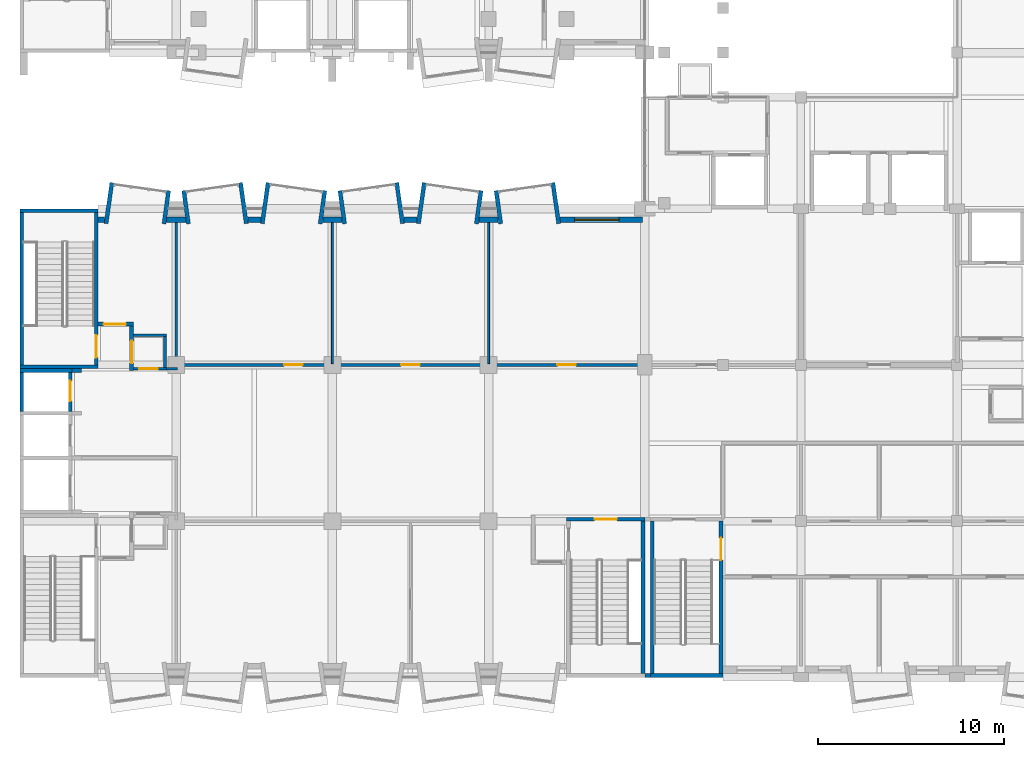
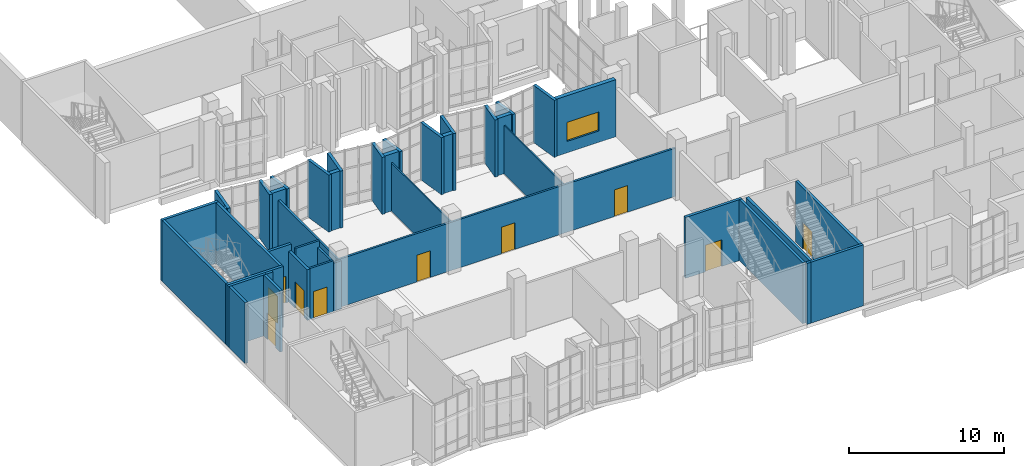
# One storey, part 30 of 91: 43 walls, 10 doors, 1 window, 11 openings.
"""IFC4 building model written with IfcOpenShell, lengths in metres."""

from ifc_helpers import new_model, si_unit, direction, frame, frame_2d, origin, place, context, subcontext, project, spatial, rectangle, extrude, material, layer, layer_set, type_object, element, fill, save


model = new_model("IFC4")

# Units and contexts
model_context = context("Model", 3, precision=1e-05, world=origin(), true_north=direction((0.0, 1.0)))
body_context = subcontext(model_context, "Body", "Model", "MODEL_VIEW")
ifc_project = project(units=[si_unit("LENGTHUNIT", "METRE"), si_unit("AREAUNIT", "SQUARE_METRE"), si_unit("VOLUMEUNIT", "CUBIC_METRE"), si_unit("PLANEANGLEUNIT", "RADIAN"), si_unit("MASSUNIT", "GRAM", prefix="KILO")], contexts=[model_context])

# Site, building, storey
site_placement = place(None, origin())
site = spatial("IfcSite", under=ifc_project, at=site_placement, CompositionType="ELEMENT")
building_placement = place(site_placement, origin())
building = spatial("IfcBuilding", under=site, at=building_placement, Name="Kiln Court Media Centre", CompositionType="ELEMENT")
storey_placement = place(building_placement, frame((0.0, 0.0, 5.39990234375)))
storey = spatial("IfcBuildingStorey", under=building, at=storey_placement, Name="L01", CompositionType="ELEMENT", Elevation=5.39990234375)

# Walls
ifc_material_1 = material(Name="Concrete block masonry M10", Category="masonry")
ifc_layer_1 = layer(ifc_material_1, 0.14990234375)
ifc_layer_set_1 = layer_set([ifc_layer_1], Name="Block riser wall 150 EI 120")
wall_type_1 = type_object("IfcWallType", Name="Block riser wall 150 EI 120", PredefinedType="SOLIDWALL", material=ifc_layer_set_1)
wall_1_placement = place(storey_placement, frame((7.875, 16.60009765625, 0.0), z_axis=(0.0, 0.0, 1.0), x_axis=(1.0, 0.0, 0.0)))
element("IfcWall", 1, at=wall_1_placement, inside=storey, type_object=wall_type_1, Name="L01 block riser wall", PredefinedType="SOLIDWALL", context=body_context, shape_type="SweptSolid", body=[
    extrude(rectangle(XDim=0.60009765625, YDim=0.14990234375, at=frame_2d((0.300048828125, 0.0))), origin(), (0.0, 0.0, 1.0), 3.800048828125),
])
wall_2_placement = place(storey_placement, frame((6.10009765625, 18.39990234375, 0.0), z_axis=(0.0, 0.0, 1.0), x_axis=(1.0, 0.0, 0.0)))
element("IfcWall", 2, at=wall_2_placement, inside=storey, type_object=wall_type_1, Name="L01 block riser wall", PredefinedType="SOLIDWALL", context=body_context, shape_type="SweptSolid", body=[
    extrude(rectangle(XDim=1.77490234375, YDim=0.14990234375, at=frame_2d((0.887451171875, 0.0))), origin(), (0.0, 0.0, 1.0), 4.5),
])
wall_3_placement = place(storey_placement, frame((7.800048828125, 16.675048828125, 0.0), z_axis=(0.0, 0.0, 1.0), x_axis=(0.0, 1.0, 0.0)))
element("IfcWall", 3, at=wall_3_placement, inside=storey, type_object=wall_type_1, Name="L01 block riser wall", PredefinedType="SOLIDWALL", context=body_context, shape_type="SweptSolid", body=[
    extrude(rectangle(XDim=1.64990234375, YDim=0.14990234375, at=frame_2d((0.824951171875, 0.0))), origin(), (0.0, 0.0, 1.0), 4.0),
])
wall_4_placement = place(storey_placement, frame((8.39990234375, 16.875, 0.0), z_axis=(0.0, 0.0, 1.0), x_axis=(0.0, 1.0, 0.0)))
element("IfcWall", 4, at=wall_4_placement, inside=storey, type_object=wall_type_1, Name="L01 block riser wall", PredefinedType="SOLIDWALL", context=body_context, shape_type="SweptSolid", body=[
    extrude(rectangle(XDim=7.574951171875, YDim=0.14990234375, at=frame_2d((3.78759765625, 0.0))), origin(), (0.0, 0.0, 1.0), 3.800048828125),
])

# Wall, opening, door
ifc_material_2 = material(Name="Concrete block masonry M10", Category="masonry")
ifc_layer_2 = layer(ifc_material_2, 0.199951171875)
ifc_layer_set_2 = layer_set([ifc_layer_2], Name="Block vestibule wall 200 EI 240")
wall_type_2 = type_object("IfcWallType", Name="Block vestibule wall 200 EI 240", PredefinedType="SOLIDWALL", material=ifc_layer_set_2)
wall_5_placement = place(storey_placement, frame((4.2001953125, 19.0, 0.0), z_axis=(0.0, 0.0, 1.0), x_axis=(1.0, 0.0, 0.0)))
wall_5 = element("IfcWall", 5, at=wall_5_placement, inside=storey, type_object=wall_type_2, Name="L01 block vestibule wall", PredefinedType="SOLIDWALL", context=body_context, shape_type="SweptSolid", body=[
    extrude(rectangle(XDim=1.89990234375, YDim=0.199951171875, at=frame_2d((0.949951171875, 0.0))), origin(), (0.0, 0.0, 1.0), 4.5),
])
opening_1_placement = place(wall_5_placement, frame((0.2998046875, 0.0, 0.0)))
opening_1 = element("IfcOpeningElement", 6, at=opening_1_placement, cuts=wall_5, Name="Opening D1042", PredefinedType="OPENING", context=body_context, shape_type="SweptSolid", body=[
    extrude(rectangle(XDim=1.199951171875, YDim=2.10009765625, at=frame_2d((0.60009765625, 1.050048828125))), frame((0.0, 0.10986328125, 0.0), z_axis=(0.0, -1.0, 0.0), x_axis=(1.0, 0.0, 0.0)), (0.0, 0.0, 1.0), 0.219970703125),
])
ifc_material_3 = material(Name="Steel S275", Category="steel")
door_type_1 = type_object("IfcDoorType", Name="Steel vestibule door 1200 x 2100 FD180", OperationType="SINGLE_SWING_LEFT", PredefinedType="DOOR", material=ifc_material_3)
door_1_placement = place(opening_1_placement, origin())
door_1 = element("IfcDoor", 7, at=door_1_placement, inside=storey, type_object=door_type_1, Name="Cleaners' Store and Riser / Stair 2 Vestibule", OperationType="SINGLE_SWING_LEFT", OverallHeight=2.10009765625, OverallWidth=1.199951171875, PredefinedType="DOOR", context=body_context, shape_type="SweptSolid", body=[
    extrude(rectangle(XDim=1.199951171875, YDim=2.10009765625, at=frame_2d((0.60009765625, 1.050048828125))), frame((0.0, 0.02490234375, 0.0), z_axis=(0.0, -1.0, 0.0), x_axis=(1.0, 0.0, 0.0)), (0.0, 0.0, 1.0), 0.050048828125),
])
fill(opening_1, door_1)

wall_6_placement = place(storey_placement, frame((6.0, 16.5, 0.0), z_axis=(0.0, 0.0, 1.0), x_axis=(0.0, 1.0, 0.0)))
wall_6 = element("IfcWall", 8, at=wall_6_placement, inside=storey, type_object=wall_type_2, Name="L01 block vestibule wall", PredefinedType="SOLIDWALL", context=body_context, shape_type="SweptSolid", body=[
    extrude(rectangle(XDim=2.39990234375, YDim=0.199951171875, at=frame_2d((1.199951171875, 0.0))), origin(), (0.0, 0.0, 1.0), 4.0),
])
opening_2_placement = place(wall_6_placement, frame((0.39990234375, 0.0, 0.0)))
opening_2 = element("IfcOpeningElement", 9, at=opening_2_placement, cuts=wall_6, Name="Opening D1043", PredefinedType="OPENING", context=body_context, shape_type="SweptSolid", body=[
    extrude(rectangle(XDim=1.199951171875, YDim=2.10009765625, at=frame_2d((0.60009765625, 1.050048828125))), frame((0.0, 0.10986328125, 0.0), z_axis=(0.0, -1.0, 0.0), x_axis=(1.0, 0.0, 0.0)), (0.0, 0.0, 1.0), 0.219970703125),
])
door_2_placement = place(opening_2_placement, origin())
door_2 = element("IfcDoor", 10, at=door_2_placement, inside=storey, type_object=door_type_1, Name="Stair 2 Vestibule / Wheelchair Refuge", OperationType="SINGLE_SWING_RIGHT", OverallHeight=2.10009765625, OverallWidth=1.199951171875, PredefinedType="DOOR", context=body_context, shape_type="SweptSolid", body=[
    extrude(rectangle(XDim=1.199951171875, YDim=2.10009765625, at=frame_2d((0.60009765625, 1.050048828125))), frame((0.0, 0.02490234375, 0.0), z_axis=(0.0, -1.0, 0.0), x_axis=(1.0, 0.0, 0.0)), (0.0, 0.0, 1.0), 0.050048828125),
])
fill(opening_2, door_2)

# Walls
ifc_material_4 = material(Name="Brick masonry facing leaf with RC backing", Category="masonry")
ifc_layer_3 = layer(ifc_material_4, 0.215087890625)
ifc_layer_set_3 = layer_set([ifc_layer_3], Name="Brick masonry bay cheek wall 215")
wall_type_3 = type_object("IfcWallType", Name="Brick masonry bay cheek wall 215", PredefinedType="SOLIDWALL", material=ifc_layer_set_3)
wall_7_placement = place(storey_placement, frame((4.630615234375, 24.405029296875, 0.0), z_axis=(0.0, 0.0, 1.0), x_axis=(0.139141913905, 0.990272451295, 0.0)))
element("IfcWall", 11, at=wall_7_placement, inside=storey, type_object=wall_type_3, Name="BAY V6A-N-L01-02 cheek L", PredefinedType="SOLIDWALL", context=body_context, shape_type="SweptSolid", body=[
    extrude(rectangle(XDim=2.219482421875, YDim=0.215087890625, at=frame_2d((1.10986328125, 0.0))), origin(), (0.0, 0.0, 1.0), 4.5),
])
for number, where, z_axis, x_axis, name in (
    (12, (7.743896484375, 24.39111328125, 0.0), (0.0, 0.0, 1.0), (0.139161311926, 0.990269725511, 0.0), "BAY V6A-N-L01-02 cheek R"),
    (13, (9.055908203125, 24.39111328125, 0.0), (0.0, 0.0, 1.0), (-0.139161311926, 0.990269725511, 0.0), "BAY V6A-N-L01-03 cheek L"),
):
    element("IfcWall", number, at=place(storey_placement, frame(where, z_axis=z_axis, x_axis=x_axis)), inside=storey, type_object=wall_type_3, Name=name, PredefinedType="SOLIDWALL", context=body_context, shape_type="SweptSolid", body=[
        extrude(rectangle(XDim=1.800048828125, YDim=0.215087890625, at=frame_2d((0.89990234375, 0.0))), origin(), (0.0, 0.0, 1.0), 4.5),
    ])
wall_8_placement = place(storey_placement, frame((12.16943359375, 24.405029296875, 0.0), z_axis=(0.0, 0.0, 1.0), x_axis=(-0.139141913905, 0.990272451295, 0.0)))
element("IfcWall", 14, at=wall_8_placement, inside=storey, type_object=wall_type_3, Name="BAY V6A-N-L01-03 cheek R", PredefinedType="SOLIDWALL", context=body_context, shape_type="SweptSolid", body=[
    extrude(rectangle(XDim=2.219482421875, YDim=0.215087890625, at=frame_2d((1.10986328125, 0.0))), origin(), (0.0, 0.0, 1.0), 4.5),
])
wall_9_placement = place(storey_placement, frame((13.030517578125, 24.405029296875, 0.0), z_axis=(0.0, 0.0, 1.0), x_axis=(0.139249775508, 0.99025728981, 0.0)))
element("IfcWall", 15, at=wall_9_placement, inside=storey, type_object=wall_type_3, Name="BAY V6A-N-L01-04 cheek L", PredefinedType="SOLIDWALL", context=body_context, shape_type="SweptSolid", body=[
    extrude(rectangle(XDim=2.2197265625, YDim=0.215087890625, at=frame_2d((1.10986328125, 0.0))), origin(), (0.0, 0.0, 1.0), 4.5),
])
for number, where, z_axis, x_axis, name in (
    (16, (16.14404296875, 24.39111328125, 0.0), (0.0, 0.0, 1.0), (0.139161311926, 0.990269725511, 0.0), "BAY V6A-N-L01-04 cheek R"),
    (17, (17.4560546875, 24.39111328125, 0.0), (0.0, 0.0, 1.0), (-0.139161311926, 0.990269725511, 0.0), "BAY V6A-N-L01-05 cheek L"),
):
    element("IfcWall", number, at=place(storey_placement, frame(where, z_axis=z_axis, x_axis=x_axis)), inside=storey, type_object=wall_type_3, Name=name, PredefinedType="SOLIDWALL", context=body_context, shape_type="SweptSolid", body=[
        extrude(rectangle(XDim=1.800048828125, YDim=0.215087890625, at=frame_2d((0.89990234375, 0.0))), origin(), (0.0, 0.0, 1.0), 4.5),
    ])
for number, where, z_axis, x_axis, name in (
    (18, (20.5693359375, 24.405029296875, 0.0), (0.0, 0.0, 1.0), (-0.139141913905, 0.990272451295, 0.0), "BAY V6A-N-L01-05 cheek R"),
    (19, (21.4306640625, 24.405029296875, 0.0), (0.0, 0.0, 1.0), (0.139141913905, 0.990272451295, 0.0), "BAY V6A-N-L01-06 cheek L"),
):
    element("IfcWall", number, at=place(storey_placement, frame(where, z_axis=z_axis, x_axis=x_axis)), inside=storey, type_object=wall_type_3, Name=name, PredefinedType="SOLIDWALL", context=body_context, shape_type="SweptSolid", body=[
        extrude(rectangle(XDim=2.219482421875, YDim=0.215087890625, at=frame_2d((1.10986328125, 0.0))), origin(), (0.0, 0.0, 1.0), 4.5),
    ])
for number, where, z_axis, x_axis, name in (
    (20, (24.5439453125, 24.39111328125, 0.0), (0.0, 0.0, 1.0), (0.139161311926, 0.990269725511, 0.0), "BAY V6A-N-L01-06 cheek R"),
    (21, (25.85595703125, 24.39111328125, 0.0), (0.0, 0.0, 1.0), (-0.139161311926, 0.990269725511, 0.0), "BAY V6A-N-L01-07 cheek L"),
):
    element("IfcWall", number, at=place(storey_placement, frame(where, z_axis=z_axis, x_axis=x_axis)), inside=storey, type_object=wall_type_3, Name=name, PredefinedType="SOLIDWALL", context=body_context, shape_type="SweptSolid", body=[
        extrude(rectangle(XDim=1.800048828125, YDim=0.215087890625, at=frame_2d((0.89990234375, 0.0))), origin(), (0.0, 0.0, 1.0), 4.5),
    ])
wall_10_placement = place(storey_placement, frame((28.969482421875, 24.405029296875, 0.0), z_axis=(0.0, 0.0, 1.0), x_axis=(-0.139249775508, 0.99025728981, 0.0)))
element("IfcWall", 22, at=wall_10_placement, inside=storey, type_object=wall_type_3, Name="BAY V6A-N-L01-07 cheek R", PredefinedType="SOLIDWALL", context=body_context, shape_type="SweptSolid", body=[
    extrude(rectangle(XDim=2.2197265625, YDim=0.215087890625, at=frame_2d((1.10986328125, 0.0))), origin(), (0.0, 0.0, 1.0), 4.5),
])
ifc_material_5 = material(Name="Brick masonry facing leaf with RC backing", Category="masonry")
ifc_layer_4 = layer(ifc_material_5, 0.300048828125)
ifc_layer_set_4 = layer_set([ifc_layer_4], Name="Brick masonry cavity wall 300")
wall_type_4 = type_object("IfcWallType", Name="Brick masonry cavity wall 300", PredefinedType="SOLIDWALL", material=ifc_layer_set_4)
wall_11_placement = place(storey_placement, frame((4.2001953125, 24.60009765625, 0.0), z_axis=(0.0, 0.0, 1.0), x_axis=(1.0, 0.0, 0.0)))
element("IfcWall", 23, at=wall_11_placement, inside=storey, type_object=wall_type_4, Name="V6A-N facade L01 3018", PredefinedType="SOLIDWALL", context=body_context, shape_type="SweptSolid", body=[
    extrude(rectangle(XDim=0.349365234375, YDim=0.300048828125, at=frame_2d((0.1748046875, 0.0))), origin(), (0.0, 0.0, 1.0), 4.5),
])
wall_12_placement = place(storey_placement, frame((7.8818359375, 24.60009765625, 0.0), z_axis=(0.0, 0.0, 1.0), x_axis=(1.0, 0.0, 0.0)))
element("IfcWall", 24, at=wall_12_placement, inside=storey, type_object=wall_type_4, Name="V6A-N facade L01 3019", PredefinedType="SOLIDWALL", context=body_context, shape_type="SweptSolid", body=[
    extrude(rectangle(XDim=1.036376953125, YDim=0.300048828125, at=frame_2d((0.51806640625, 0.0))), origin(), (0.0, 0.0, 1.0), 4.5),
])
wall_13_placement = place(storey_placement, frame((12.25048828125, 24.60009765625, 0.0), z_axis=(0.0, 0.0, 1.0), x_axis=(1.0, 0.0, 0.0)))
element("IfcWall", 25, at=wall_13_placement, inside=storey, type_object=wall_type_4, Name="V6A-N facade L01 3020", PredefinedType="SOLIDWALL", context=body_context, shape_type="SweptSolid", body=[
    extrude(rectangle(XDim=0.698974609375, YDim=0.300048828125, at=frame_2d((0.349609375, 0.0))), origin(), (0.0, 0.0, 1.0), 4.5),
])
wall_14_placement = place(storey_placement, frame((16.281982421875, 24.60009765625, 0.0), z_axis=(0.0, 0.0, 1.0), x_axis=(1.0, 0.0, 0.0)))
element("IfcWall", 26, at=wall_14_placement, inside=storey, type_object=wall_type_4, Name="V6A-N facade L01 3021", PredefinedType="SOLIDWALL", context=body_context, shape_type="SweptSolid", body=[
    extrude(rectangle(XDim=1.0361328125, YDim=0.300048828125, at=frame_2d((0.51806640625, 0.0))), origin(), (0.0, 0.0, 1.0), 4.5),
])
wall_15_placement = place(storey_placement, frame((20.650390625, 24.60009765625, 0.0), z_axis=(0.0, 0.0, 1.0), x_axis=(1.0, 0.0, 0.0)))
element("IfcWall", 27, at=wall_15_placement, inside=storey, type_object=wall_type_4, Name="V6A-N facade L01 3022", PredefinedType="SOLIDWALL", context=body_context, shape_type="SweptSolid", body=[
    extrude(rectangle(XDim=0.69921875, YDim=0.300048828125, at=frame_2d((0.349609375, 0.0))), origin(), (0.0, 0.0, 1.0), 4.5),
])
wall_16_placement = place(storey_placement, frame((24.681884765625, 24.60009765625, 0.0), z_axis=(0.0, 0.0, 1.0), x_axis=(1.0, 0.0, 0.0)))
element("IfcWall", 28, at=wall_16_placement, inside=storey, type_object=wall_type_4, Name="V6A-N facade L01 3023", PredefinedType="SOLIDWALL", context=body_context, shape_type="SweptSolid", body=[
    extrude(rectangle(XDim=1.0361328125, YDim=0.300048828125, at=frame_2d((0.51806640625, 0.0))), origin(), (0.0, 0.0, 1.0), 4.5),
])

# Wall, opening, window
wall_17_placement = place(storey_placement, frame((29.050537109375, 24.60009765625, 0.0), z_axis=(0.0, 0.0, 1.0), x_axis=(1.0, 0.0, 0.0)))
wall_17 = element("IfcWall", 29, at=wall_17_placement, inside=storey, type_object=wall_type_4, Name="V6A-N facade L01 3024", PredefinedType="SOLIDWALL", context=body_context, shape_type="SweptSolid", body=[
    extrude(rectangle(XDim=4.424560546875, YDim=0.300048828125, at=frame_2d((2.21240234375, 0.0))), origin(), (0.0, 0.0, 1.0), 4.5),
])
opening_3_placement = place(wall_17_placement, frame((0.77490234375, 0.0, 0.89990234375)))
opening_3 = element("IfcOpeningElement", 30, at=opening_3_placement, cuts=wall_17, Name="Opening WN1001", PredefinedType="OPENING", context=body_context, shape_type="SweptSolid", body=[
    extrude(rectangle(XDim=2.39990234375, YDim=1.5, at=frame_2d((1.199951171875, 0.75))), frame((0.0, 0.159912109375, 0.0), z_axis=(0.0, -1.0, 0.0), x_axis=(1.0, 0.0, 0.0)), (0.0, 0.0, 1.0), 0.320068359375),
])
ifc_material_6 = material(Name="Aluminium 6063-T6", Category="aluminium")
window_type = type_object("IfcWindowType", Name="Aluminium window 2400x1500", PartitioningType="TRIPLE_PANEL_VERTICAL", PredefinedType="WINDOW", material=ifc_material_6)
window_placement = place(opening_3_placement, origin())
window = element("IfcWindow", 31, at=window_placement, inside=storey, type_object=window_type, Name="WC window WN1001", OverallHeight=1.5, OverallWidth=2.39990234375, PartitioningType="SINGLE_PANEL", PredefinedType="WINDOW", context=body_context, shape_type="SweptSolid", body=[
    extrude(rectangle(XDim=2.39990234375, YDim=1.5, at=frame_2d((1.199951171875, 0.75))), frame((0.0, 0.030029296875, 0.0), z_axis=(0.0, -1.0, 0.0), x_axis=(1.0, 0.0, 0.0)), (0.0, 0.0, 1.0), 0.06005859375),
])
fill(opening_3, window)

# Walls
ifc_material_7 = material(Name="Concrete C40/50", Category="concrete")
ifc_layer_5 = layer(ifc_material_7, 0.199951171875)
ifc_layer_set_5 = layer_set([ifc_layer_5], Name="Concrete C40/50 shear wall 200")
wall_type_5 = type_object("IfcWallType", Name="Concrete C40/50 shear wall 200", PredefinedType="SHEAR", material=ifc_layer_set_5)
for number, where, z_axis, x_axis, name in (
    (32, (4.199951171875, 16.699951171875, 0.0), (0.0, 0.0, 1.0), (-1.0, 0.0, 0.0), "L01-W-1004"),
    (33, (0.00048828125, 25.10009765625, 0.0), (0.0, 0.0, 1.0), (1.0, 0.0, 0.0), "L01-W-1005"),
):
    element("IfcWall", number, at=place(storey_placement, frame(where, z_axis=z_axis, x_axis=x_axis)), inside=storey, type_object=wall_type_5, Name=name, PredefinedType="SHEAR", context=body_context, shape_type="SweptSolid", body=[
        extrude(rectangle(XDim=4.199462890625, YDim=0.199951171875, at=frame_2d((2.099609375, 0.0))), origin(), (0.0, 0.0, 1.0), 4.800048828125),
    ])
wall_18_placement = place(storey_placement, frame((0.100341796875, 16.800048828125, 0.0), z_axis=(0.0, 0.0, 1.0), x_axis=(0.0, 1.0, 0.0)))
element("IfcWall", 34, at=wall_18_placement, inside=storey, type_object=wall_type_5, Name="L01-W-1006", PredefinedType="SHEAR", context=body_context, shape_type="SweptSolid", body=[
    extrude(rectangle(XDim=8.199951171875, YDim=0.199951171875, at=frame_2d((4.10009765625, 0.0))), origin(), (0.0, 0.0, 1.0), 4.800048828125),
])

# Wall, opening, door
wall_19_placement = place(storey_placement, frame((4.10009765625, 25.0, 0.0), z_axis=(0.0, 0.0, 1.0), x_axis=(0.0, -1.0, 0.0)))
wall_19 = element("IfcWall", 35, at=wall_19_placement, inside=storey, type_object=wall_type_5, Name="L01-W-1007", PredefinedType="SHEAR", context=body_context, shape_type="SweptSolid", body=[
    extrude(rectangle(XDim=8.199951171875, YDim=0.199951171875, at=frame_2d((4.10009765625, 0.0))), origin(), (0.0, 0.0, 1.0), 4.800048828125),
])
opening_4_placement = place(wall_19_placement, frame((6.60009765625, 0.0, 0.0)))
opening_4 = element("IfcOpeningElement", 36, at=opening_4_placement, cuts=wall_19, Name="Opening D1014", PredefinedType="OPENING", context=body_context, shape_type="SweptSolid", body=[
    extrude(rectangle(XDim=1.199951171875, YDim=2.10009765625, at=frame_2d((0.60009765625, 1.050048828125))), frame((0.0, 0.10986328125, 0.0), z_axis=(0.0, -1.0, 0.0), x_axis=(1.0, 0.0, 0.0)), (0.0, 0.0, 1.0), 0.219970703125),
])
ifc_material_8 = material(Name="Steel S275", Category="steel")
door_type_2 = type_object("IfcDoorType", Name="Steel stair door 1200 x 2100 FD180", OperationType="SINGLE_SWING_LEFT", PredefinedType="DOOR", material=ifc_material_8)
door_3_placement = place(opening_4_placement, origin())
door_3 = element("IfcDoor", 37, at=door_3_placement, inside=storey, type_object=door_type_2, Name="Stair 2 / Stair 2 Vestibule", OperationType="SINGLE_SWING_RIGHT", OverallHeight=2.10009765625, OverallWidth=1.199951171875, PredefinedType="DOOR", context=body_context, shape_type="SweptSolid", body=[
    extrude(rectangle(XDim=1.199951171875, YDim=2.10009765625, at=frame_2d((0.60009765625, 1.050048828125))), frame((0.0, 0.02490234375, 0.0), z_axis=(0.0, -1.0, 0.0), x_axis=(1.0, 0.0, 0.0)), (0.0, 0.0, 1.0), 0.050048828125),
])
fill(opening_4, door_3)

wall_20_placement = place(storey_placement, frame((29.39990234375, 8.5, 0.0), z_axis=(0.0, 0.0, 1.0), x_axis=(1.0, 0.0, 0.0)))
wall_20 = element("IfcWall", 38, at=wall_20_placement, inside=storey, type_object=wall_type_5, Name="L01-W-1009", PredefinedType="SHEAR", context=body_context, shape_type="SweptSolid", body=[
    extrude(rectangle(XDim=4.2001953125, YDim=0.199951171875, at=frame_2d((2.10009765625, 0.0))), origin(), (0.0, 0.0, 1.0), 4.800048828125),
])
opening_5_placement = place(wall_20_placement, frame((1.5, 0.0, 0.0)))
opening_5 = element("IfcOpeningElement", 39, at=opening_5_placement, cuts=wall_20, Name="Opening D1013", PredefinedType="OPENING", context=body_context, shape_type="SweptSolid", body=[
    extrude(rectangle(XDim=1.199951171875, YDim=2.10009765625, at=frame_2d((0.60009765625, 1.050048828125))), frame((0.0, 0.10986328125, 0.0), z_axis=(0.0, -1.0, 0.0), x_axis=(1.0, 0.0, 0.0)), (0.0, 0.0, 1.0), 0.219970703125),
])
door_4_placement = place(opening_5_placement, origin())
door_4 = element("IfcDoor", 40, at=door_4_placement, inside=storey, type_object=door_type_2, Name="Stair 3 / East Lobby", OperationType="SINGLE_SWING_RIGHT", OverallHeight=2.10009765625, OverallWidth=1.199951171875, PredefinedType="DOOR", context=body_context, shape_type="SweptSolid", body=[
    extrude(rectangle(XDim=1.199951171875, YDim=2.10009765625, at=frame_2d((0.60009765625, 1.050048828125))), frame((0.0, 0.02490234375, 0.0), z_axis=(0.0, -1.0, 0.0), x_axis=(1.0, 0.0, 0.0)), (0.0, 0.0, 1.0), 0.050048828125),
])
fill(opening_5, door_4)

# Walls
wall_21_placement = place(storey_placement, frame((33.5, 8.39990234375, 0.0), z_axis=(0.0, 0.0, 1.0), x_axis=(0.0, -1.0, 0.0)))
element("IfcWall", 41, at=wall_21_placement, inside=storey, type_object=wall_type_5, Name="L01-W-1011", PredefinedType="SHEAR", context=body_context, shape_type="SweptSolid", body=[
    extrude(rectangle(XDim=8.199951171875, YDim=0.199951171875, at=frame_2d((4.10009765625, 0.0))), origin(), (0.0, 0.0, 1.0), 4.800048828125),
])
wall_22_placement = place(storey_placement, frame((37.800048828125, 0.10009765625, 0.0), z_axis=(0.0, 0.0, 1.0), x_axis=(-1.0, 0.0, 0.0)))
element("IfcWall", 42, at=wall_22_placement, inside=storey, type_object=wall_type_5, Name="L01-W-1012", PredefinedType="SHEAR", context=body_context, shape_type="SweptSolid", body=[
    extrude(rectangle(XDim=3.900146484375, YDim=0.199951171875, at=frame_2d((1.9501953125, 0.0))), origin(), (0.0, 0.0, 1.0), 4.800048828125),
])
wall_23_placement = place(storey_placement, frame((34.0, 0.199951171875, 0.0), z_axis=(0.0, 0.0, 1.0), x_axis=(0.0, 1.0, 0.0)))
element("IfcWall", 43, at=wall_23_placement, inside=storey, type_object=wall_type_5, Name="L01-W-1014", PredefinedType="SHEAR", context=body_context, shape_type="SweptSolid", body=[
    extrude(rectangle(XDim=8.199951171875, YDim=0.199951171875, at=frame_2d((4.10009765625, 0.0))), origin(), (0.0, 0.0, 1.0), 4.800048828125),
])

# Wall, opening, door
wall_24_placement = place(storey_placement, frame((37.699951171875, 8.39990234375, 0.0), z_axis=(0.0, 0.0, 1.0), x_axis=(0.0, -1.0, 0.0)))
wall_24 = element("IfcWall", 44, at=wall_24_placement, inside=storey, type_object=wall_type_5, Name="L01-W-1015", PredefinedType="SHEAR", context=body_context, shape_type="SweptSolid", body=[
    extrude(rectangle(XDim=8.199951171875, YDim=0.199951171875, at=frame_2d((4.10009765625, 0.0))), origin(), (0.0, 0.0, 1.0), 4.800048828125),
])
opening_6_placement = place(wall_24_placement, frame((0.89990234375, 0.0, 0.0)))
opening_6 = element("IfcOpeningElement", 45, at=opening_6_placement, cuts=wall_24, Name="Opening D1015", PredefinedType="OPENING", context=body_context, shape_type="SweptSolid", body=[
    extrude(rectangle(XDim=1.199951171875, YDim=2.10009765625, at=frame_2d((0.60009765625, 1.050048828125))), frame((0.0, 0.10986328125, 0.0), z_axis=(0.0, -1.0, 0.0), x_axis=(1.0, 0.0, 0.0)), (0.0, 0.0, 1.0), 0.219970703125),
])
door_5_placement = place(opening_6_placement, origin())
door_5 = element("IfcDoor", 46, at=door_5_placement, inside=storey, type_object=door_type_2, Name="Stair 4 / Suite Corridor", OperationType="SINGLE_SWING_RIGHT", OverallHeight=2.10009765625, OverallWidth=1.199951171875, PredefinedType="DOOR", context=body_context, shape_type="SweptSolid", body=[
    extrude(rectangle(XDim=1.199951171875, YDim=2.10009765625, at=frame_2d((0.60009765625, 1.050048828125))), frame((0.0, 0.02490234375, 0.0), z_axis=(0.0, -1.0, 0.0), x_axis=(1.0, 0.0, 0.0)), (0.0, 0.0, 1.0), 0.050048828125),
])
fill(opening_6, door_5)

# Walls
wall_25_placement = place(storey_placement, frame((0.00048828125, 16.5, 0.0), z_axis=(0.0, 0.0, 1.0), x_axis=(1.0, 0.0, 0.0)))
element("IfcWall", 47, at=wall_25_placement, inside=storey, type_object=wall_type_5, Name="L01-W-1075", PredefinedType="SHEAR", context=body_context, shape_type="SweptSolid", body=[
    extrude(rectangle(XDim=2.799560546875, YDim=0.199951171875, at=frame_2d((1.39990234375, 0.0))), origin(), (0.0, 0.0, 1.0), 4.800048828125),
])
wall_26_placement = place(storey_placement, frame((0.100341796875, 14.300048828125, 0.0), z_axis=(0.0, 0.0, 1.0), x_axis=(0.0, 1.0, 0.0)))
element("IfcWall", 48, at=wall_26_placement, inside=storey, type_object=wall_type_5, Name="L01-W-1076", PredefinedType="SHEAR", context=body_context, shape_type="SweptSolid", body=[
    extrude(rectangle(XDim=2.099853515625, YDim=0.199951171875, at=frame_2d((1.0498046875, 0.0))), origin(), (0.0, 0.0, 1.0), 4.800048828125),
])

# Wall, opening, door
wall_27_placement = place(storey_placement, frame((2.699951171875, 16.39990234375, 0.0), z_axis=(0.0, 0.0, 1.0), x_axis=(0.0, -1.0, 0.0)))
wall_27 = element("IfcWall", 49, at=wall_27_placement, inside=storey, type_object=wall_type_5, Name="L01-W-1077", PredefinedType="SHEAR", context=body_context, shape_type="SweptSolid", body=[
    extrude(rectangle(XDim=2.099853515625, YDim=0.199951171875, at=frame_2d((1.0498046875, 0.0))), origin(), (0.0, 0.0, 1.0), 4.800048828125),
])
opening_7_placement = place(wall_27_placement, frame((0.449951171875, 0.0, 0.0)))
opening_7 = element("IfcOpeningElement", 50, at=opening_7_placement, cuts=wall_27, Name="Opening LD103", PredefinedType="OPENING", context=body_context, shape_type="SweptSolid", body=[
    extrude(rectangle(XDim=1.10009765625, YDim=2.10009765625, at=frame_2d((0.550048828125, 1.050048828125))), frame((0.0, 0.10986328125, 0.0), z_axis=(0.0, -1.0, 0.0), x_axis=(1.0, 0.0, 0.0)), (0.0, 0.0, 1.0), 0.219970703125),
])
ifc_material_9 = material(Name="Stainless steel", Category="steel")
door_type_3 = type_object("IfcDoorType", Name="Lift landing door 1100 x 2100 FD120", OperationType="SLIDING_TO_LEFT", PredefinedType="DOOR", material=ifc_material_9)
door_6_placement = place(opening_7_placement, origin())
door_6 = element("IfcDoor", 51, at=door_6_placement, inside=storey, type_object=door_type_3, Name="LF-03 landing door L01", OperationType="SLIDING_TO_LEFT", OverallHeight=2.10009765625, OverallWidth=1.10009765625, PredefinedType="DOOR", context=body_context, shape_type="SweptSolid", body=[
    extrude(rectangle(XDim=1.10009765625, YDim=2.10009765625, at=frame_2d((0.550048828125, 1.050048828125))), frame((0.0, 0.02490234375, 0.0), z_axis=(0.0, -1.0, 0.0), x_axis=(1.0, 0.0, 0.0)), (0.0, 0.0, 1.0), 0.050048828125),
])
fill(opening_7, door_6)

# Walls
wall_28_placement = place(storey_placement, frame((33.89990234375, 0.10009765625, 0.0), z_axis=(0.0, 0.0, 1.0), x_axis=(-1.0, 0.0, 0.0)))
element("IfcWall", 52, at=wall_28_placement, inside=storey, type_object=wall_type_5, Name="L01-W-1149", PredefinedType="SHEAR", context=body_context, shape_type="SweptSolid", body=[
    extrude(rectangle(XDim=0.2998046875, YDim=0.199951171875, at=frame_2d((0.14990234375, 0.0))), origin(), (0.0, 0.0, 1.0), 4.800048828125),
])
wall_29_placement = place(storey_placement, frame((2.800048828125, 16.5, 0.0), z_axis=(0.0, 0.0, 1.0), x_axis=(1.0, 0.0, 0.0)))
element("IfcWall", 53, at=wall_29_placement, inside=storey, type_object=wall_type_5, Name="L01-W-1155", PredefinedType="SHEAR", context=body_context, shape_type="SweptSolid", body=[
    extrude(rectangle(XDim=0.5, YDim=0.199951171875, at=frame_2d((0.25, 0.0))), origin(), (0.0, 0.0, 1.0), 4.800048828125),
])

# Wall, opening, door
ifc_material_10 = material(Name="Gypsum plasterboard", Category="gypsum")
ifc_layer_6 = layer(ifc_material_10, 0.14990234375)
ifc_layer_set_6 = layer_set([ifc_layer_6], Name="Gypsum corridor partition 150 EI 60")
wall_type_6 = type_object("IfcWallType", Name="Gypsum corridor partition 150 EI 60", PredefinedType="PARTITIONING", material=ifc_layer_set_6)
wall_30_placement = place(storey_placement, frame((6.10009765625, 16.60009765625, 0.0), z_axis=(0.0, 0.0, 1.0), x_axis=(1.0, 0.0, 0.0)))
wall_30 = element("IfcWall", 54, at=wall_30_placement, inside=storey, type_object=wall_type_6, Name="L01 gypsum corridor partition", PredefinedType="PARTITIONING", context=body_context, shape_type="SweptSolid", body=[
    extrude(rectangle(XDim=1.77490234375, YDim=0.14990234375, at=frame_2d((0.887451171875, 0.0))), origin(), (0.0, 0.0, 1.0), 4.0),
])
opening_8_placement = place(wall_30_placement, frame((0.300048828125, 0.0, 0.0)))
opening_8 = element("IfcOpeningElement", 55, at=opening_8_placement, cuts=wall_30, Name="Opening D1070", PredefinedType="OPENING", context=body_context, shape_type="SweptSolid", body=[
    extrude(rectangle(XDim=1.0, YDim=2.10009765625, at=frame_2d((0.5, 1.050048828125))), frame((0.0, 0.0849609375, 0.0), z_axis=(0.0, -1.0, 0.0), x_axis=(1.0, 0.0, 0.0)), (0.0, 0.0, 1.0), 0.169921875),
])
ifc_material_11 = material(Name="Steel S275", Category="steel")
door_type_4 = type_object("IfcDoorType", Name="Steel corridor door 1000 x 2100 FD30S", OperationType="SINGLE_SWING_LEFT", PredefinedType="DOOR", material=ifc_material_11)
door_7_placement = place(opening_8_placement, origin())
door_7 = element("IfcDoor", 56, at=door_7_placement, inside=storey, type_object=door_type_4, Name="Passenger Lift Lobby / Wheelchair Refuge", OperationType="SINGLE_SWING_RIGHT", OverallHeight=2.10009765625, OverallWidth=1.0, PredefinedType="DOOR", context=body_context, shape_type="SweptSolid", body=[
    extrude(rectangle(XDim=1.0, YDim=2.10009765625, at=frame_2d((0.5, 1.050048828125))), frame((0.0, 0.02490234375, 0.0), z_axis=(0.0, -1.0, 0.0), x_axis=(1.0, 0.0, 0.0)), (0.0, 0.0, 1.0), 0.050048828125),
])
fill(opening_8, door_7)

# Wall, openings, doors
wall_31_placement = place(storey_placement, frame((8.324951171875, 16.800048828125, 0.0), z_axis=(0.0, 0.0, 1.0), x_axis=(1.0, 0.0, 0.0)))
wall_31 = element("IfcWall", 57, at=wall_31_placement, inside=storey, type_object=wall_type_6, Name="L01 gypsum corridor partition", PredefinedType="PARTITIONING", context=body_context, shape_type="SweptSolid", body=[
    extrude(rectangle(XDim=25.150146484375, YDim=0.14990234375, at=frame_2d((12.5751953125, 0.0))), origin(), (0.0, 0.0, 1.0), 3.800048828125),
])
opening_9_placement = place(wall_31_placement, frame((20.574951171875, 0.0, 0.0)))
opening_9 = element("IfcOpeningElement", 58, at=opening_9_placement, cuts=wall_31, Name="Opening D1041", PredefinedType="OPENING", context=body_context, shape_type="SweptSolid", body=[
    extrude(rectangle(XDim=1.0, YDim=2.10009765625, at=frame_2d((0.5, 1.050048828125))), frame((0.0, 0.0849609375, 0.0), z_axis=(0.0, -1.0, 0.0), x_axis=(1.0, 0.0, 0.0)), (0.0, 0.0, 1.0), 0.169921875),
])
opening_10_placement = place(wall_31_placement, frame((5.875, 0.0, 0.0)))
opening_10 = element("IfcOpeningElement", 59, at=opening_10_placement, cuts=wall_31, Name="Opening D1068", PredefinedType="OPENING", context=body_context, shape_type="SweptSolid", body=[
    extrude(rectangle(XDim=1.0, YDim=2.10009765625, at=frame_2d((0.5, 1.050048828125))), frame((0.0, 0.0849609375, 0.0), z_axis=(0.0, -1.0, 0.0), x_axis=(1.0, 0.0, 0.0)), (0.0, 0.0, 1.0), 0.169921875),
])
opening_11_placement = place(wall_31_placement, frame((12.175048828125, 0.0, 0.0)))
opening_11 = element("IfcOpeningElement", 60, at=opening_11_placement, cuts=wall_31, Name="Opening D1069", PredefinedType="OPENING", context=body_context, shape_type="SweptSolid", body=[
    extrude(rectangle(XDim=1.0, YDim=2.10009765625, at=frame_2d((0.5, 1.050048828125))), frame((0.0, 0.0849609375, 0.0), z_axis=(0.0, -1.0, 0.0), x_axis=(1.0, 0.0, 0.0)), (0.0, 0.0, 1.0), 0.169921875),
])
door_8_placement = place(opening_9_placement, origin())
door_8 = element("IfcDoor", 61, at=door_8_placement, inside=storey, type_object=door_type_4, Name="East Lobby / Family Reading Room", OperationType="SINGLE_SWING_LEFT", OverallHeight=2.10009765625, OverallWidth=1.0, PredefinedType="DOOR", context=body_context, shape_type="SweptSolid", body=[
    extrude(rectangle(XDim=1.0, YDim=2.10009765625, at=frame_2d((0.5, 1.050048828125))), frame((0.0, 0.02490234375, 0.0), z_axis=(0.0, -1.0, 0.0), x_axis=(1.0, 0.0, 0.0)), (0.0, 0.0, 1.0), 0.050048828125),
])
fill(opening_9, door_8)
door_9_placement = place(opening_10_placement, origin())
door_9 = element("IfcDoor", 62, at=door_9_placement, inside=storey, type_object=door_type_4, Name="Library Atrium / Children's Media Library", OperationType="SINGLE_SWING_LEFT", OverallHeight=2.10009765625, OverallWidth=1.0, PredefinedType="DOOR", context=body_context, shape_type="SweptSolid", body=[
    extrude(rectangle(XDim=1.0, YDim=2.10009765625, at=frame_2d((0.5, 1.050048828125))), frame((0.0, 0.02490234375, 0.0), z_axis=(0.0, -1.0, 0.0), x_axis=(1.0, 0.0, 0.0)), (0.0, 0.0, 1.0), 0.050048828125),
])
fill(opening_10, door_9)
door_10_placement = place(opening_11_placement, origin())
door_10 = element("IfcDoor", 63, at=door_10_placement, inside=storey, type_object=door_type_4, Name="Library Atrium / Story Room", OperationType="SINGLE_SWING_RIGHT", OverallHeight=2.10009765625, OverallWidth=1.0, PredefinedType="DOOR", context=body_context, shape_type="SweptSolid", body=[
    extrude(rectangle(XDim=1.0, YDim=2.10009765625, at=frame_2d((0.5, 1.050048828125))), frame((0.0, 0.02490234375, 0.0), z_axis=(0.0, -1.0, 0.0), x_axis=(1.0, 0.0, 0.0)), (0.0, 0.0, 1.0), 0.050048828125),
])
fill(opening_11, door_10)

# Walls
ifc_material_12 = material(Name="Gypsum plasterboard", Category="gypsum")
ifc_layer_7 = layer(ifc_material_12, 0.10009765625)
ifc_layer_set_7 = layer_set([ifc_layer_7], Name="Gypsum stud partition 100")
wall_type_7 = type_object("IfcWallType", Name="Gypsum stud partition 100", PredefinedType="PARTITIONING", material=ifc_layer_set_7)
for number, where, z_axis, x_axis, name in (
    (64, (16.800048828125, 16.875, 0.0), (0.0, 0.0, 1.0), (0.0, 1.0, 0.0), "L01 gypsum stud partition"),
    (65, (25.199951171875, 16.875, 0.0), (0.0, 0.0, 1.0), (0.0, 1.0, 0.0), "L01 gypsum stud partition"),
):
    element("IfcWall", number, at=place(storey_placement, frame(where, z_axis=z_axis, x_axis=x_axis)), inside=storey, type_object=wall_type_7, Name=name, PredefinedType="PARTITIONING", context=body_context, shape_type="SweptSolid", body=[
        extrude(rectangle(XDim=7.574951171875, YDim=0.10009765625, at=frame_2d((3.78759765625, 0.0))), origin(), (0.0, 0.0, 1.0), 3.800048828125),
    ])

save(model, "model.ifc")
